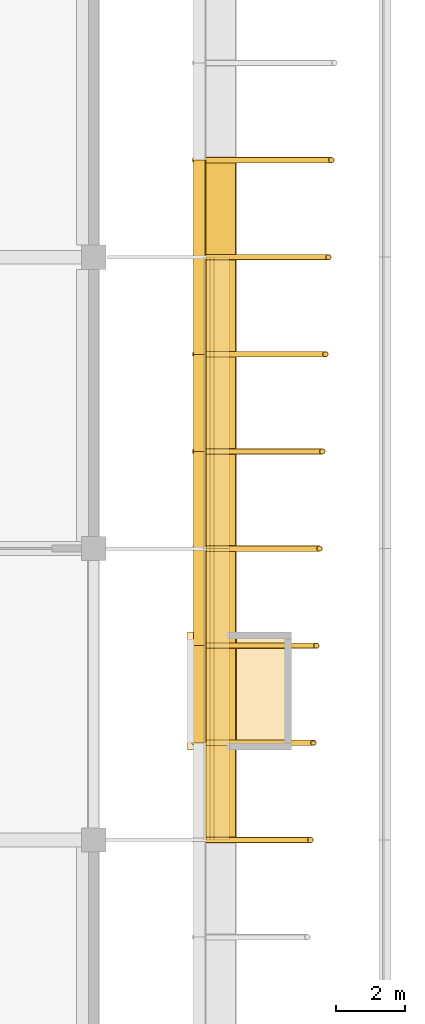
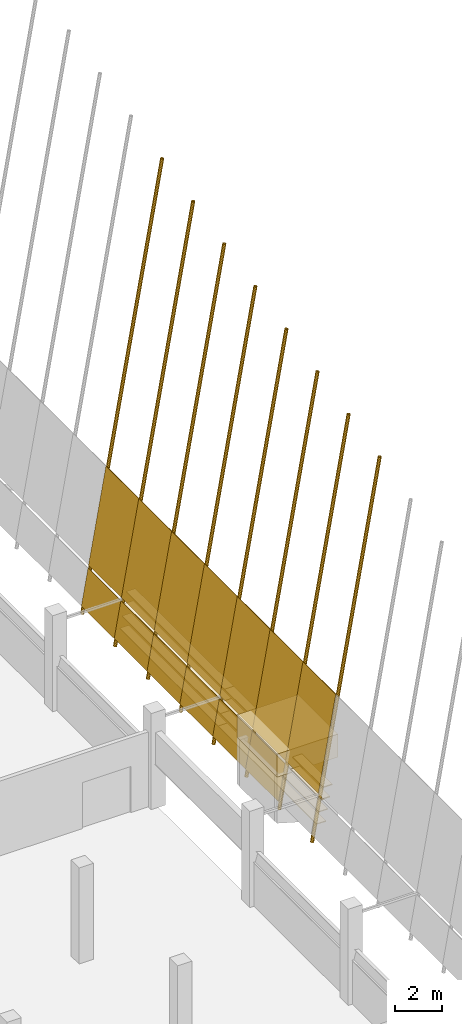
# One storey, part 79 of 82: 22 coverings, 8 shading devices.
"""IFC4 building model written with IfcOpenShell, lengths in metres."""

from ifc_helpers import new_model, si_unit, direction, frame, origin, origin_2d, place, context, subcontext, project, spatial, polyline, rectangle, hollow_circle, outline, extrude, material, layer, layer_set, material_profile, profile_set, type_object, element, save


model = new_model("IFC4")

# Units and contexts
model_context = context("Model", 3, precision=1e-05, world=origin(), true_north=direction((0.0, 1.0)))
body_context = subcontext(model_context, "Body", "Model", "MODEL_VIEW")
ifc_project = project(units=[si_unit("LENGTHUNIT", "METRE"), si_unit("AREAUNIT", "SQUARE_METRE"), si_unit("VOLUMEUNIT", "CUBIC_METRE"), si_unit("PLANEANGLEUNIT", "RADIAN"), si_unit("MASSUNIT", "GRAM", prefix="KILO")], contexts=[model_context])

# Site, building, storey
site_placement = place(None, origin())
site = spatial("IfcSite", under=ifc_project, at=site_placement, CompositionType="ELEMENT")
building_placement = place(site_placement, origin())
building = spatial("IfcBuilding", under=site, at=building_placement, Name="Almond Square Museum", CompositionType="ELEMENT")
storey_placement = place(building_placement, frame((0.0, 0.0, 20.0)))
storey = spatial("IfcBuildingStorey", under=building, at=storey_placement, Name="L03", CompositionType="ELEMENT", Elevation=20.0)

# Coverings
ifc_material_1 = material(Name="Zinc standing seam cladding")
ifc_layer_1 = layer(ifc_material_1, 1.199951171875)
ifc_layer_set_1 = layer_set([ifc_layer_1], Name="Zinc standing seam cladding")
covering_type_1 = type_object("IfcCoveringType", Name="Lift overrun cladding 1200", PredefinedType="CLADDING", material=ifc_layer_set_1)
covering_1_placement = place(storey_placement, frame((153.0, 79.89990234375, 3.927734375), z_axis=(0.0, 0.0, 1.0), x_axis=(1.0, 0.0, 0.0)))
element("IfcCovering", 1, at=covering_1_placement, inside=storey, type_object=covering_type_1, Name="Lift overrun cladding E1", PredefinedType="CLADDING", context=body_context, shape_type="SweptSolid", body=[
    extrude(rectangle(XDim=3.0, YDim=3.39990234375, at=origin_2d()), origin(), (0.0, 0.0, 1.0), 1.199951171875),
])
ifc_material_2 = material(Name="Cedar timber louvre board", Category="wood")
ifc_material_profile_1 = material_profile(ifc_material_2, rectangle(XDim=0.449951171875, YDim=0.050048828125, at=origin_2d()))
ifc_profile_set_1 = profile_set([ifc_material_profile_1], Name="Cedar timber louvre board")
covering_type_2 = type_object("IfcCoveringType", Name="Louvre board 450 x 50", PredefinedType="CLADDING", material=ifc_profile_set_1)
for number, where, z_axis, x_axis, name in (
    (2, (152.174560546875, 75.60009765625, 2.89990234375), (0.0, 1.0, 0.0), (-1.0, 0.0, 0.0), "Louvre board E01.04"),
    (3, (152.174560546875, 84.0, 2.89990234375), (0.0, 1.0, 0.0), (-1.0, 0.0, 0.0), "Louvre board E01.05"),
    (4, (152.2802734375, 75.60009765625, 3.5), (0.0, 1.0, 0.0), (-1.0, 0.0, 0.0), "Louvre board E02.04"),
    (5, (152.2802734375, 84.0, 3.5), (0.0, 1.0, 0.0), (-1.0, 0.0, 0.0), "Louvre board E02.05"),
    (6, (152.38623046875, 75.60009765625, 4.10009765625), (0.0, 1.0, 0.0), (-1.0, 0.0, 0.0), "Louvre board E03.04"),
    (7, (152.38623046875, 84.0, 4.10009765625), (0.0, 1.0, 0.0), (-1.0, 0.0, 0.0), "Louvre board E03.05"),
    (8, (152.491943359375, 75.60009765625, 4.699951171875), (0.0, 1.0, 0.0), (-1.0, 0.0, 0.0), "Louvre board E04.04"),
    (9, (152.491943359375, 84.0, 4.699951171875), (0.0, 1.0, 0.0), (-1.0, 0.0, 0.0), "Louvre board E04.05"),
):
    element("IfcCovering", number, at=place(storey_placement, frame(where, z_axis=z_axis, x_axis=x_axis)), inside=storey, type_object=covering_type_2, Name=name, PredefinedType="CLADDING", context=body_context, shape_type="SweptSolid", body=[
        extrude(rectangle(XDim=0.449951171875, YDim=0.050048828125, at=origin_2d()), origin(), (0.0, 0.0, 1.0), 8.39990234375),
    ])

# Shading devices
ifc_material_3 = material(Name="Structural steel S355", Category="steel")
ifc_material_profile_2 = material_profile(ifc_material_3, hollow_circle(Radius=0.084228515625, WallThickness=0.008056640625, at=origin_2d()))
ifc_profile_set_2 = profile_set([ifc_material_profile_2], Name="Structural steel S355")
shading_device_type = type_object("IfcShadingDeviceType", Name="Louvre post CHS 168.3 x 8", PredefinedType="USERDEFINED", material=ifc_profile_set_2)
shading_device_1_placement = place(storey_placement, frame((151.720947265625, 75.60009765625, 2.0654296875), z_axis=(0.173646679866, 0.0, 0.984808017114), x_axis=(0.0, 1.0, 0.0)))
element("IfcShadingDevice", 10, at=shading_device_1_placement, inside=storey, type_object=shading_device_type, Name="Louvre post E10", ObjectType="POST", PredefinedType="USERDEFINED", context=body_context, shape_type="SweptSolid", body=[
    extrude(hollow_circle(Radius=0.084228515625, WallThickness=0.008056640625, at=origin_2d()), origin(), (0.0, 0.0, 1.0), 19.185791015625),
])
shading_device_2_placement = place(storey_placement, frame((151.720947265625, 78.39990234375, 2.0654296875), z_axis=(0.173648062013, 0.0, 0.984807773405), x_axis=(0.0, 1.0, 0.0)))
element("IfcShadingDevice", 11, at=shading_device_2_placement, inside=storey, type_object=shading_device_type, Name="Louvre post E11", ObjectType="POST", PredefinedType="USERDEFINED", context=body_context, shape_type="SweptSolid", body=[
    extrude(hollow_circle(Radius=0.084228515625, WallThickness=0.008056640625, at=origin_2d()), origin(), (0.0, 0.0, 1.0), 19.683349609375),
])
shading_device_3_placement = place(storey_placement, frame((151.720947265625, 81.199951171875, 2.0654296875), z_axis=(0.173647307199, 0.0, 0.984807906499), x_axis=(0.0, 1.0, 0.0)))
element("IfcShadingDevice", 12, at=shading_device_3_placement, inside=storey, type_object=shading_device_type, Name="Louvre post E12", ObjectType="POST", PredefinedType="USERDEFINED", context=body_context, shape_type="SweptSolid", body=[
    extrude(hollow_circle(Radius=0.084228515625, WallThickness=0.008056640625, at=origin_2d()), origin(), (0.0, 0.0, 1.0), 20.18115234375),
])
shading_device_4_placement = place(storey_placement, frame((151.720947265625, 84.0, 2.0654296875), z_axis=(0.173648607723, 0.0, 0.984807677182), x_axis=(0.0, 1.0, 0.0)))
element("IfcShadingDevice", 13, at=shading_device_4_placement, inside=storey, type_object=shading_device_type, Name="Louvre post E13", ObjectType="POST", PredefinedType="USERDEFINED", context=body_context, shape_type="SweptSolid", body=[
    extrude(hollow_circle(Radius=0.084228515625, WallThickness=0.008056640625, at=origin_2d()), origin(), (0.0, 0.0, 1.0), 20.6787109375),
])
shading_device_5_placement = place(storey_placement, frame((151.720947265625, 86.800048828125, 2.0654296875), z_axis=(0.173649847132, 0.0, 0.984807458639), x_axis=(0.0, 1.0, 0.0)))
element("IfcShadingDevice", 14, at=shading_device_5_placement, inside=storey, type_object=shading_device_type, Name="Louvre post E14", ObjectType="POST", PredefinedType="USERDEFINED", context=body_context, shape_type="SweptSolid", body=[
    extrude(hollow_circle(Radius=0.084228515625, WallThickness=0.008056640625, at=origin_2d()), origin(), (0.0, 0.0, 1.0), 21.17626953125),
])
shading_device_6_placement = place(storey_placement, frame((151.720947265625, 89.60009765625, 2.0654296875), z_axis=(0.173651029636, 0.0, 0.984807250129), x_axis=(0.0, 1.0, 0.0)))
element("IfcShadingDevice", 15, at=shading_device_6_placement, inside=storey, type_object=shading_device_type, Name="Louvre post E15", ObjectType="POST", PredefinedType="USERDEFINED", context=body_context, shape_type="SweptSolid", body=[
    extrude(hollow_circle(Radius=0.084228515625, WallThickness=0.008056640625, at=origin_2d()), origin(), (0.0, 0.0, 1.0), 21.673828125),
])
shading_device_7_placement = place(storey_placement, frame((151.720947265625, 92.39990234375, 2.0654296875), z_axis=(0.173652159066, 0.0, 0.984807050976), x_axis=(0.0, 1.0, 0.0)))
element("IfcShadingDevice", 16, at=shading_device_7_placement, inside=storey, type_object=shading_device_type, Name="Louvre post E16", ObjectType="POST", PredefinedType="USERDEFINED", context=body_context, shape_type="SweptSolid", body=[
    extrude(hollow_circle(Radius=0.084228515625, WallThickness=0.008056640625, at=origin_2d()), origin(), (0.0, 0.0, 1.0), 22.17138671875),
])
shading_device_8_placement = place(storey_placement, frame((151.720947265625, 95.199951171875, 2.0654296875), z_axis=(0.173642793796, 0.0, 0.984808702319), x_axis=(0.0, 1.0, 0.0)))
element("IfcShadingDevice", 17, at=shading_device_8_placement, inside=storey, type_object=shading_device_type, Name="Louvre post E17", ObjectType="POST", PredefinedType="USERDEFINED", context=body_context, shape_type="SweptSolid", body=[
    extrude(hollow_circle(Radius=0.084228515625, WallThickness=0.008056640625, at=origin_2d()), origin(), (0.0, 0.0, 1.0), 22.6689453125),
])

# Coverings
ifc_material_4 = material(Name="Cedar timber sheathing panel", Category="wood")
ifc_layer_2 = layer(ifc_material_4, 0.030029296875)
ifc_layer_set_2 = layer_set([ifc_layer_2], Name="Cedar timber sheathing panel")
covering_type_3 = type_object("IfcCoveringType", Name="Louvre rain-screen backing panel 30", PredefinedType="CLADDING", material=ifc_layer_set_2)
covering_2_placement = place(storey_placement, frame((152.046142578125, 75.60009765625, 4.469970703125), z_axis=(0.984800486849, 0.0, -0.173689381088), x_axis=(0.0, 1.0, 0.0)))
element("IfcCovering", 18, at=covering_2_placement, inside=storey, type_object=covering_type_3, Name="Louvre rain-screen backing panel E10.06", PredefinedType="CLADDING", context=body_context, shape_type="SweptSolid", body=[
    extrude(outline(polyline([(0.0, 0.0), (2.7998046875, 0.0), (2.7998046875, 4.9351188253650715), (0.0, 4.9351188253650715), (0.0, 0.0)])), frame((0.0, 0.0, -0.01513671875)), (0.0, 0.0, 1.0), 0.030029296875),
])
covering_3_placement = place(storey_placement, frame((151.69287109375, 78.39990234375, 2.465576171875), z_axis=(0.984821183335, 0.0, -0.173571993292), x_axis=(0.0, 1.0, 0.0)))
element("IfcCovering", 19, at=covering_3_placement, inside=storey, type_object=covering_type_3, Name="Louvre rain-screen backing panel E11.05", PredefinedType="CLADDING", context=body_context, shape_type="SweptSolid", body=[
    extrude(outline(polyline([(0.0, 0.0), (2.800048828125, 0.0), (2.800048828125, 1.8932390820550984), (0.0, 1.8932390820550984), (0.0, 0.0)])), frame((0.0, 0.0, -0.01513671875)), (0.0, 0.0, 1.0), 0.030029296875),
])
covering_4_placement = place(storey_placement, frame((152.046142578125, 78.39990234375, 4.469970703125), z_axis=(0.984800486849, 0.0, -0.173689381088), x_axis=(0.0, 1.0, 0.0)))
element("IfcCovering", 20, at=covering_4_placement, inside=storey, type_object=covering_type_3, Name="Louvre rain-screen backing panel E11.06", PredefinedType="CLADDING", context=body_context, shape_type="SweptSolid", body=[
    extrude(outline(polyline([(0.0, 0.0), (2.800048828125, 0.0), (2.800048828125, 4.9351188253650715), (0.0, 4.9351188253650715), (0.0, 0.0)])), frame((0.0, 0.0, -0.01513671875)), (0.0, 0.0, 1.0), 0.030029296875),
])
covering_5_placement = place(storey_placement, frame((151.69287109375, 81.199951171875, 2.465576171875), z_axis=(0.984821183335, 0.0, -0.173571993292), x_axis=(0.0, 1.0, 0.0)))
element("IfcCovering", 21, at=covering_5_placement, inside=storey, type_object=covering_type_3, Name="Louvre rain-screen backing panel E12.05", PredefinedType="CLADDING", context=body_context, shape_type="SweptSolid", body=[
    extrude(outline(polyline([(0.0, 0.0), (2.800048828125, 0.0), (2.800048828125, 1.8932390820550984), (0.0, 1.8932390820550984), (0.0, 0.0)])), frame((0.0, 0.0, -0.01513671875)), (0.0, 0.0, 1.0), 0.030029296875),
])
covering_6_placement = place(storey_placement, frame((152.046142578125, 81.199951171875, 4.469970703125), z_axis=(0.984800486849, 0.0, -0.173689381088), x_axis=(0.0, 1.0, 0.0)))
element("IfcCovering", 22, at=covering_6_placement, inside=storey, type_object=covering_type_3, Name="Louvre rain-screen backing panel E12.06", PredefinedType="CLADDING", context=body_context, shape_type="SweptSolid", body=[
    extrude(outline(polyline([(0.0, 0.0), (2.800048828125, 0.0), (2.800048828125, 4.9351188253650715), (0.0, 4.9351188253650715), (0.0, 0.0)])), frame((0.0, 0.0, -0.01513671875)), (0.0, 0.0, 1.0), 0.030029296875),
])
covering_7_placement = place(storey_placement, frame((151.69287109375, 84.0, 2.465576171875), z_axis=(0.984821183335, 0.0, -0.173571993292), x_axis=(0.0, 1.0, 0.0)))
element("IfcCovering", 23, at=covering_7_placement, inside=storey, type_object=covering_type_3, Name="Louvre rain-screen backing panel E13.05", PredefinedType="CLADDING", context=body_context, shape_type="SweptSolid", body=[
    extrude(outline(polyline([(0.0, 0.0), (2.800048828125, 0.0), (2.800048828125, 1.8932390820550984), (0.0, 1.8932390820550984), (0.0, 0.0)])), frame((0.0, 0.0, -0.01513671875)), (0.0, 0.0, 1.0), 0.030029296875),
])
covering_8_placement = place(storey_placement, frame((152.046142578125, 84.0, 4.469970703125), z_axis=(0.984800486849, 0.0, -0.173689381088), x_axis=(0.0, 1.0, 0.0)))
element("IfcCovering", 24, at=covering_8_placement, inside=storey, type_object=covering_type_3, Name="Louvre rain-screen backing panel E13.06", PredefinedType="CLADDING", context=body_context, shape_type="SweptSolid", body=[
    extrude(outline(polyline([(0.0, 0.0), (2.800048828125, 0.0), (2.800048828125, 4.9351188253650715), (0.0, 4.9351188253650715), (0.0, 0.0)])), frame((0.0, 0.0, -0.01513671875)), (0.0, 0.0, 1.0), 0.030029296875),
])
covering_9_placement = place(storey_placement, frame((151.69287109375, 86.800048828125, 2.465576171875), z_axis=(0.984821183335, 0.0, -0.173571993292), x_axis=(0.0, 1.0, 0.0)))
element("IfcCovering", 25, at=covering_9_placement, inside=storey, type_object=covering_type_3, Name="Louvre rain-screen backing panel E14.05", PredefinedType="CLADDING", context=body_context, shape_type="SweptSolid", body=[
    extrude(outline(polyline([(0.0, 0.0), (2.800048828125, 0.0), (2.800048828125, 1.8932390820550984), (0.0, 1.8932390820550984), (0.0, 0.0)])), frame((0.0, 0.0, -0.01513671875)), (0.0, 0.0, 1.0), 0.030029296875),
])
covering_10_placement = place(storey_placement, frame((152.046142578125, 86.800048828125, 4.469970703125), z_axis=(0.984800486849, 0.0, -0.173689381088), x_axis=(0.0, 1.0, 0.0)))
element("IfcCovering", 26, at=covering_10_placement, inside=storey, type_object=covering_type_3, Name="Louvre rain-screen backing panel E14.06", PredefinedType="CLADDING", context=body_context, shape_type="SweptSolid", body=[
    extrude(outline(polyline([(0.0, 0.0), (2.800048828125, 0.0), (2.800048828125, 4.9351188253650715), (0.0, 4.9351188253650715), (0.0, 0.0)])), frame((0.0, 0.0, -0.01513671875)), (0.0, 0.0, 1.0), 0.030029296875),
])
covering_11_placement = place(storey_placement, frame((151.69287109375, 89.60009765625, 2.465576171875), z_axis=(0.984821183335, 0.0, -0.173571993292), x_axis=(0.0, 1.0, 0.0)))
element("IfcCovering", 27, at=covering_11_placement, inside=storey, type_object=covering_type_3, Name="Louvre rain-screen backing panel E15.05", PredefinedType="CLADDING", context=body_context, shape_type="SweptSolid", body=[
    extrude(outline(polyline([(0.0, 0.0), (2.7998046875, 0.0), (2.7998046875, 1.8932390820550982), (0.0, 1.8932390820550982), (0.0, 0.0)])), frame((0.0, 0.0, -0.01513671875)), (0.0, 0.0, 1.0), 0.030029296875),
])
covering_12_placement = place(storey_placement, frame((152.046142578125, 89.60009765625, 4.469970703125), z_axis=(0.984800486849, 0.0, -0.173689381088), x_axis=(0.0, 1.0, 0.0)))
element("IfcCovering", 28, at=covering_12_placement, inside=storey, type_object=covering_type_3, Name="Louvre rain-screen backing panel E15.06", PredefinedType="CLADDING", context=body_context, shape_type="SweptSolid", body=[
    extrude(outline(polyline([(0.0, 0.0), (2.7998046875, 0.0), (2.7998046875, 4.9351188253650715), (0.0, 4.9351188253650715), (0.0, 0.0)])), frame((0.0, 0.0, -0.01513671875)), (0.0, 0.0, 1.0), 0.030029296875),
])
covering_13_placement = place(storey_placement, frame((151.69287109375, 92.39990234375, 2.465576171875), z_axis=(0.984821183335, 0.0, -0.173571993292), x_axis=(0.0, 1.0, 0.0)))
element("IfcCovering", 29, at=covering_13_placement, inside=storey, type_object=covering_type_3, Name="Louvre rain-screen backing panel E16.05", PredefinedType="CLADDING", context=body_context, shape_type="SweptSolid", body=[
    extrude(outline(polyline([(0.0, 0.0), (2.800048828125, 0.0), (2.800048828125, 1.8932390820550984), (0.0, 1.8932390820550984), (0.0, 0.0)])), frame((0.0, 0.0, -0.01513671875)), (0.0, 0.0, 1.0), 0.030029296875),
])
covering_14_placement = place(storey_placement, frame((152.046142578125, 92.39990234375, 4.469970703125), z_axis=(0.984800486849, 0.0, -0.173689381088), x_axis=(0.0, 1.0, 0.0)))
element("IfcCovering", 30, at=covering_14_placement, inside=storey, type_object=covering_type_3, Name="Louvre rain-screen backing panel E16.06", PredefinedType="CLADDING", context=body_context, shape_type="SweptSolid", body=[
    extrude(outline(polyline([(0.0, 0.0), (2.800048828125, 0.0), (2.800048828125, 4.9351188253650715), (0.0, 4.9351188253650715), (0.0, 0.0)])), frame((0.0, 0.0, -0.01513671875)), (0.0, 0.0, 1.0), 0.030029296875),
])

save(model, "model.ifc")
